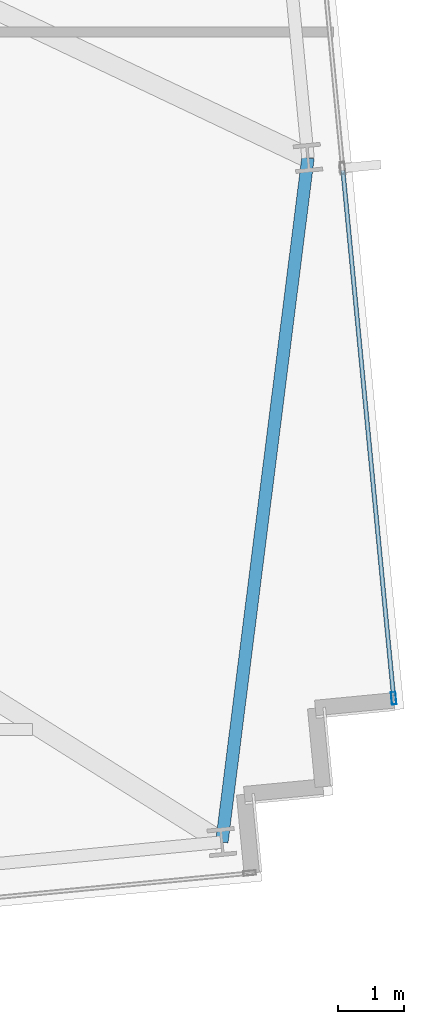
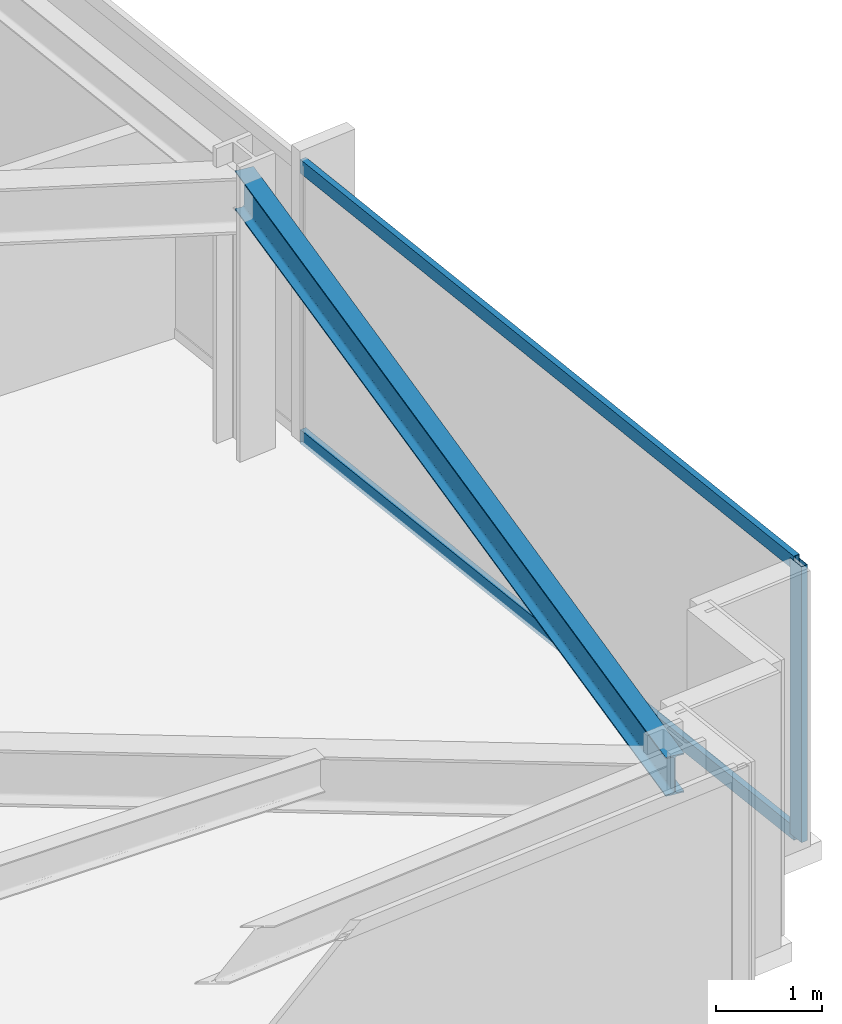
# One storey, part 14 of 33: 3 members, 1 beam, 1 element without a shape of its own.
"""IFC4 building model written with IfcOpenShell, lengths in metres."""

import ifcopenshell
import ifcopenshell.guid

model = None  # the IFC model being written
_history = None  # IfcOwnerHistory: only IFC2X3 demands one
_inside = {}  # id of a spatial element -> (the spatial element, [elements in it])
_under = {}  # id of a project, library or spatial element -> (it, [spatial elements below it])
_declared = {}  # id of a project -> (the project, [libraries it declares])
_typed = {}  # id of a type object -> (the type object, [elements of that type])
_made_of = {}  # id of a material, layer set ... -> (it, [elements and type objects made of it])


def new_model(schema):
    """Start an empty IFC model of exactly this schema.

    Asked for "IFC4X3", IfcOpenShell would pick the latest addendum, in which some entities
    have other attributes; the version numbers below select the first issue.
    IFC2X3 requires an IfcOwnerHistory on every rooted entity: one is made here for all.
    """
    global model, _history
    if schema == "IFC4X3":
        model = ifcopenshell.file(schema_version=(4, 3, 0, 0))
    else:
        model = ifcopenshell.file(schema=schema)
    _inside.clear()
    _under.clear()
    _declared.clear()
    _typed.clear()
    _made_of.clear()
    _history = None
    if model.schema == "IFC2X3":
        org = make("IfcOrganization", Name="unknown")
        user = make(
            "IfcPersonAndOrganization",
            ThePerson=make("IfcPerson", FamilyName="unknown"),
            TheOrganization=org,
        )
        app = make(
            "IfcApplication",
            ApplicationDeveloper=org,
            Version="unknown",
            ApplicationFullName="unknown",
            ApplicationIdentifier="unknown",
        )
        _history = make(
            "IfcOwnerHistory",
            OwningUser=user,
            OwningApplication=app,
            ChangeAction="ADDED",
            CreationDate=0,
        )
    return model


def make(cls, **values):
    """One entity of the class cls with the attributes given. An attribute that is None is left unset."""
    return model.create_entity(
        cls, **{name: value for name, value in values.items() if value is not None}
    )


def rooted(cls, **values):
    """An entity with a GlobalId (a new one), such as an element, a storey or a relation."""
    return make(cls, GlobalId=ifcopenshell.guid.new(), OwnerHistory=_history, **values)


def si_unit(unit_type, name, prefix=None):
    """IfcSIUnit, for example si_unit("LENGTHUNIT", "METRE", prefix="MILLI")."""
    return make("IfcSIUnit", UnitType=unit_type, Prefix=prefix, Name=name)


def assignment(units):
    """IfcUnitAssignment: the units of a project."""
    return None if units is None else make("IfcUnitAssignment", Units=units)


def point(xyz):
    """IfcCartesianPoint."""
    return None if xyz is None else make("IfcCartesianPoint", Coordinates=xyz)


def direction(xyz):
    """IfcDirection."""
    return None if xyz is None else make("IfcDirection", DirectionRatios=xyz)


def frame(location, z_axis=None, x_axis=None):
    """IfcAxis2Placement3D, a coordinate frame: its origin and axes. An axis left out is left unset."""
    return make(
        "IfcAxis2Placement3D",
        Location=point(location),
        Axis=direction(z_axis),
        RefDirection=direction(x_axis),
    )


def frame_2d(location, x_axis=None):
    """IfcAxis2Placement2D, a coordinate frame in the plane: its origin and x axis."""
    return make(
        "IfcAxis2Placement2D", Location=point(location), RefDirection=direction(x_axis)
    )


def origin():
    """The frame at (0, 0, 0) with its axes left unset."""
    return frame((0.0, 0.0, 0.0))


def origin_2d():
    """The frame at (0, 0) in the plane with its x axis left unset."""
    return frame_2d((0.0, 0.0))


def place(relative_to, where):
    """IfcLocalPlacement: puts the frame where relative to a parent placement (None: the world)."""
    return make(
        "IfcLocalPlacement", PlacementRelTo=relative_to, RelativePlacement=where
    )


def context(
    kind, dimensions, precision=None, world=None, true_north=None, identifier=None
):
    """IfcGeometricRepresentationContext, for example the 3D "Model" context."""
    return make(
        "IfcGeometricRepresentationContext",
        ContextIdentifier=identifier,
        ContextType=kind,
        CoordinateSpaceDimension=dimensions,
        Precision=precision,
        WorldCoordinateSystem=world,
        TrueNorth=true_north,
    )


def subcontext(parent, identifier, kind, view, scale=None):
    """IfcGeometricRepresentationSubContext, for example "Body" below "Model"."""
    return make(
        "IfcGeometricRepresentationSubContext",
        ContextIdentifier=identifier,
        ContextType=kind,
        ParentContext=parent,
        TargetScale=scale,
        TargetView=view,
    )


def project(units=None, contexts=None):
    """IfcProject with its units and contexts."""
    return rooted(
        "IfcProject",
        Name="project",
        RepresentationContexts=contexts,
        UnitsInContext=assignment(units),
    )


def spatial(cls, under=None, at=None, **own):
    """A site, building, storey or space (cls), placed at a placement, below another one or the project."""
    s = rooted(cls, ObjectPlacement=at, **own)
    if under is not None:
        _under.setdefault(under.id(), (under, []))[1].append(s)
    return s


def profile(cls, at=None, kind="AREA", **sizes):
    """A parametric profile (cls). Its sizes go by their IFC names, for example OverallWidth=200.0."""
    return make(cls, ProfileType=kind, Position=at, **sizes)


def hollow_rectangle(**sizes):
    """IfcRectangleHollowProfileDef."""
    return profile("IfcRectangleHollowProfileDef", **sizes)


def i_section(**sizes):
    """IfcIShapeProfileDef."""
    return profile("IfcIShapeProfileDef", **sizes)


def extrude(swept, where, along, depth):
    """IfcExtrudedAreaSolid: the profile swept, set in the frame where, extruded along a direction by depth."""
    return make(
        "IfcExtrudedAreaSolid",
        SweptArea=swept,
        Position=where,
        ExtrudedDirection=direction(along),
        Depth=depth,
    )


def shape(context_of_items, identifier, shape_type, items):
    """IfcShapeRepresentation: the items that make up one representation, for example the "Body"."""
    return make(
        "IfcShapeRepresentation",
        ContextOfItems=context_of_items,
        RepresentationIdentifier=identifier,
        RepresentationType=shape_type,
        Items=items,
    )


def material(Name=None, Category=None):
    """IfcMaterial."""
    return make("IfcMaterial", Name=Name, Category=Category)


def material_profile(
    of_material, cross_section, Name=None, Category=None, Priority=None
):
    """IfcMaterialProfile: a cross section and its material."""
    return make(
        "IfcMaterialProfile",
        Name=Name,
        Material=of_material,
        Profile=cross_section,
        Priority=Priority,
        Category=Category,
    )


def profile_set(profiles, Name=None, composite=None):
    """IfcMaterialProfileSet."""
    return make(
        "IfcMaterialProfileSet",
        Name=Name,
        MaterialProfiles=profiles,
        CompositeProfile=composite,
    )


def made_of(thing, what):
    """Note that an element or type object is made of a material, layer set ...; save() writes the relation."""
    if what is not None:
        _made_of.setdefault(what.id(), (what, []))[1].append(thing)
    return thing


def type_object(cls, material=None, **own):
    """A type object (cls), such as IfcWallType, which elements share."""
    return made_of(rooted(cls, **own), material)


def element(
    cls,
    number,
    at=None,
    inside=None,
    cuts=None,
    type_object=None,
    material=None,
    context=None,
    identifier="Body",
    shape_type=None,
    held_by="IfcProductDefinitionShape",
    body=None,
    shapes=None,
    **own,
):
    """One element of the class cls, such as IfcWall. Its Tag is "e" and its number.

    at: its placement. inside: the storey or other place that contains it. cuts: it is an
    opening in that element (IfcRelVoidsElement). A single representation is given by context,
    identifier, shape_type and body (its items); several are given by shapes. held_by: the class
    of the entity that holds the representations. save() writes the other relations.
    """
    e = rooted(cls, Tag="e%d" % number, ObjectPlacement=at, **own)
    if body is not None:
        shapes = [shape(context, identifier, shape_type, body)]
    if shapes is not None:
        e.Representation = make(held_by, Representations=shapes)
    if inside is not None:
        _inside.setdefault(inside.id(), (inside, []))[1].append(e)
    if cuts is not None:
        rooted(
            "IfcRelVoidsElement", RelatingBuildingElement=cuts, RelatedOpeningElement=e
        )
    if type_object is not None:
        _typed.setdefault(type_object.id(), (type_object, []))[1].append(e)
    return made_of(e, material)


def aggregate(whole, parts):
    """IfcRelAggregates: a whole, such as a stair, and the parts it consists of."""
    return rooted("IfcRelAggregates", RelatingObject=whole, RelatedObjects=parts)


def save(model, path):
    """Write the relations noted so far, then the file.

    IfcRelAggregates (storeys below a building ...), IfcRelContainedInSpatialStructure (elements
    in a storey), IfcRelDefinesByType, IfcRelAssociatesMaterial and IfcRelDeclares: one each for
    every whole, place, type object, material and project.
    """
    for whole, parts in _under.values():
        aggregate(whole, parts)
    for where, things in _inside.values():
        rooted(
            "IfcRelContainedInSpatialStructure",
            RelatedElements=things,
            RelatingStructure=where,
        )
    for kind, things in _typed.values():
        rooted("IfcRelDefinesByType", RelatedObjects=things, RelatingType=kind)
    for what, things in _made_of.values():
        rooted("IfcRelAssociatesMaterial", RelatedObjects=things, RelatingMaterial=what)
    for by, libraries in _declared.values():
        rooted("IfcRelDeclares", RelatingContext=by, RelatedDefinitions=libraries)
    model.write(path)


model = new_model("IFC4")

# Units and contexts
model_context = context("Model", 3, precision=1e-05, world=origin(), true_north=direction((0.0, 1.0)))
body_context = subcontext(model_context, "Body", "Model", "MODEL_VIEW")
ifc_project = project(units=[si_unit("LENGTHUNIT", "METRE"), si_unit("AREAUNIT", "SQUARE_METRE"), si_unit("VOLUMEUNIT", "CUBIC_METRE"), si_unit("PLANEANGLEUNIT", "RADIAN"), si_unit("MASSUNIT", "GRAM", prefix="KILO")], contexts=[model_context])

# Site, building, storey
site_placement = place(None, origin())
site = spatial("IfcSite", under=ifc_project, at=site_placement, CompositionType="ELEMENT")
building_placement = place(site_placement, origin())
building = spatial("IfcBuilding", under=site, at=building_placement, Name="Yelkora Congress Tower", CompositionType="ELEMENT")
storey_placement = place(building_placement, frame((0.0, 0.0, 106.699951171875)))
storey = spatial("IfcBuildingStorey", under=building, at=storey_placement, Name="L28", CompositionType="ELEMENT", Elevation=106.699951171875)

# Beam
ifc_material_1 = material(Name="Steel S355J2", Category="steel")
ifc_material_profile_1 = material_profile(ifc_material_1, i_section(OverallWidth=0.18994140625, OverallDepth=0.449951171875, WebThickness=0.009521484375, FlangeThickness=0.0146484375, FilletRadius=0.02099609375, at=origin_2d()), Name="IPE 450")
ifc_profile_set_1 = profile_set([ifc_material_profile_1], Name="Steel S355J2")
beam_type = type_object("IfcBeamType", Name="BM-SPAN-IPE450", PredefinedType="SPANDREL", material=ifc_profile_set_1)
beam_placement = place(storey_placement, frame((74.73193359375, 14.43505859375, 2.955078125), z_axis=(0.124929198684, 0.99216565921, 0.0), x_axis=(-0.99216565921, 0.124929198684, 0.0)))
element("IfcBeam", 1, at=beam_placement, inside=storey, type_object=beam_type, Name="L28 Perimeter Beam 10", PredefinedType="SPANDREL", context=body_context, shape_type="SweptSolid", body=[
    extrude(i_section(OverallWidth=0.18994140625, OverallDepth=0.449951171875, WebThickness=0.009521484375, FlangeThickness=0.0146484375, FilletRadius=0.02099609375, at=origin_2d()), origin(), (0.0, 0.0, 1.0), 10.48046875),
])

# Curtain wall, members
ifc_material_2 = material(Name="Anodised aluminium and insulated glass", Category="aluminium")
curtain_wall_type = type_object("IfcCurtainWallType", Name="CW-SYS-B2", PredefinedType="NOTDEFINED", material=ifc_material_2)
curtain_wall_placement = place(storey_placement, origin())
curtain_wall = element("IfcCurtainWall", 2, at=curtain_wall_placement, inside=storey, type_object=curtain_wall_type, Name="L28 Unitised Curtain Wall 15", PredefinedType="NOTDEFINED")
ifc_material_3 = material(Name="Anodised aluminium 6063-T6", Category="aluminium")
ifc_material_profile_2 = material_profile(ifc_material_3, hollow_rectangle(XDim=0.070068359375, YDim=0.18994140625, WallThickness=0.00390625, at=origin_2d()), Name="ALU 70x190x4")
ifc_profile_set_2 = profile_set([ifc_material_profile_2], Name="Anodised aluminium 6063-T6")
member_type_1 = type_object("IfcMemberType", Name="MEM-ML-B2", PredefinedType="MULLION", material=ifc_profile_set_2)
member_1_placement = place(storey_placement, frame((77.34423828125, 16.62060546875, 0.0), z_axis=(0.0, 0.0, 1.0), x_axis=(0.995396507508, 0.095842541913, 0.0)))
member_1 = element("IfcMember", 3, at=member_1_placement, type_object=member_type_1, Name="CW-B2 mullion 5", PredefinedType="MULLION", context=body_context, shape_type="SweptSolid", body=[
    extrude(hollow_rectangle(XDim=0.070068359375, YDim=0.18994140625, WallThickness=0.00390625, at=origin_2d()), origin(), (0.0, 0.0, 1.0), 3.179931640625),
])
ifc_material_profile_3 = material_profile(ifc_material_3, hollow_rectangle(XDim=0.06494140625, YDim=0.159912109375, WallThickness=0.00390625, at=origin_2d()), Name="ALU 65x160x4")
ifc_profile_set_3 = profile_set([ifc_material_profile_3], Name="Anodised aluminium 6063-T6")
member_type_2 = type_object("IfcMemberType", Name="MEM-TR-B2", PredefinedType="USERDEFINED", material=ifc_profile_set_3)
member_2_placement = place(storey_placement, frame((76.57177734375, 24.6435546875, 0.032470703125), z_axis=(0.095858482834, -0.995394972495, 0.0), x_axis=(0.995394972495, 0.095858482834, 0.0)))
member_2 = element("IfcMember", 4, at=member_2_placement, type_object=member_type_2, Name="CW-B2 transom 4.1", ObjectType="TRANSOM", PredefinedType="USERDEFINED", context=body_context, shape_type="SweptSolid", body=[
    extrude(hollow_rectangle(XDim=0.06494140625, YDim=0.159912109375, WallThickness=0.00390625, at=origin_2d()), origin(), (0.0, 0.0, 1.0), 8.025146484375),
])
member_3_placement = place(storey_placement, frame((76.57177734375, 24.6435546875, 3.1474609375), z_axis=(0.095858482834, -0.995394972495, 0.0), x_axis=(0.995394972495, 0.095858482834, 0.0)))
member_3 = element("IfcMember", 5, at=member_3_placement, type_object=member_type_2, Name="CW-B2 transom 4.2", ObjectType="TRANSOM", PredefinedType="USERDEFINED", context=body_context, shape_type="SweptSolid", body=[
    extrude(hollow_rectangle(XDim=0.06494140625, YDim=0.159912109375, WallThickness=0.00390625, at=origin_2d()), origin(), (0.0, 0.0, 1.0), 8.025146484375),
])
aggregate(curtain_wall, [member_1, member_2, member_3])

save(model, "model.ifc")
